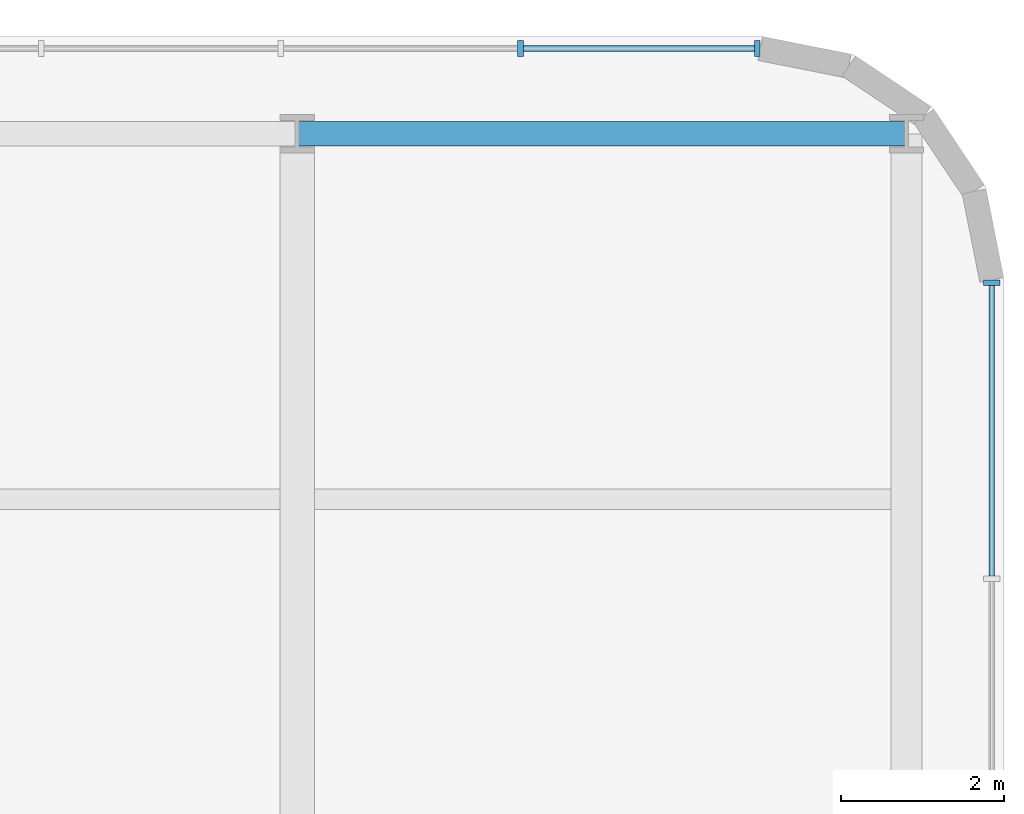
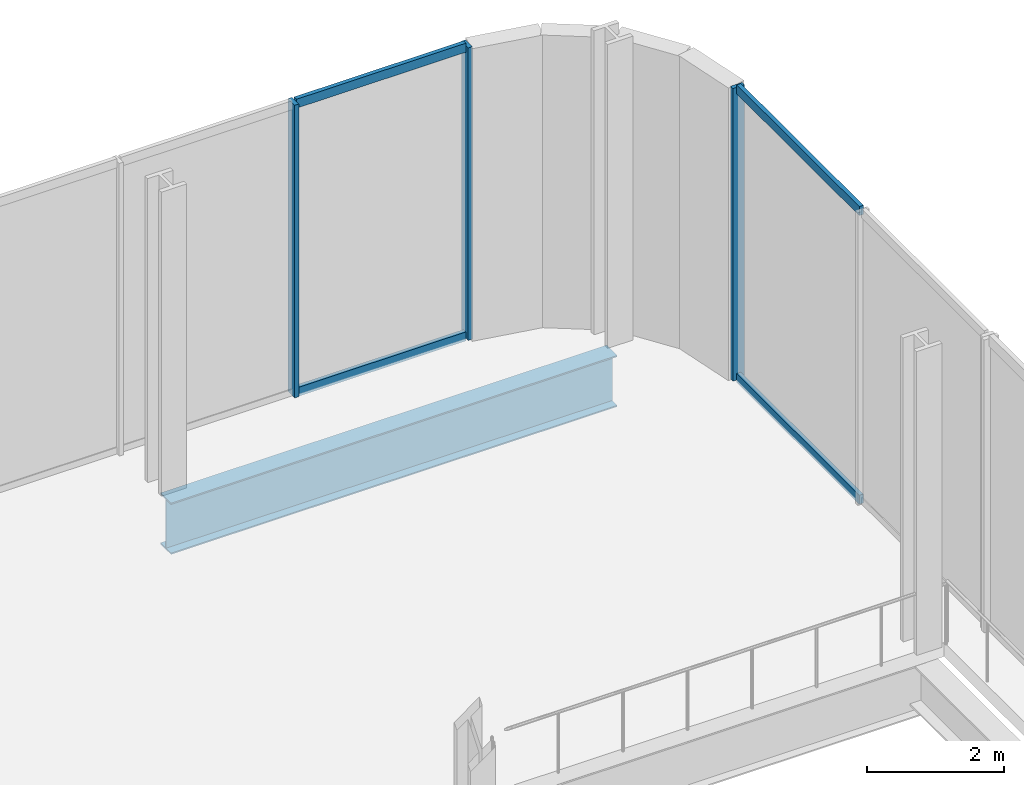
# One storey, part 11 of 17: 7 members, 1 beam, 2 elements without a shape of their own.
"""IFC4 building model written with IfcOpenShell, lengths in metres."""

from ifc_helpers import new_model, si_unit, direction, frame, origin, origin_2d, place, context, subcontext, project, spatial, rectangle, i_section, extrude, material, material_profile, profile_set, type_object, element, aggregate, save


model = new_model("IFC4")

# Units and contexts
model_context = context("Model", 3, precision=1e-05, world=origin(), true_north=direction((0.0, 1.0)))
body_context = subcontext(model_context, "Body", "Model", "MODEL_VIEW")
ifc_project = project(units=[si_unit("LENGTHUNIT", "METRE"), si_unit("AREAUNIT", "SQUARE_METRE"), si_unit("VOLUMEUNIT", "CUBIC_METRE"), si_unit("PLANEANGLEUNIT", "RADIAN"), si_unit("MASSUNIT", "GRAM", prefix="KILO")], contexts=[model_context])

# Site, building, storey
site_placement = place(None, origin())
site = spatial("IfcSite", under=ifc_project, at=site_placement, CompositionType="ELEMENT")
building_placement = place(site_placement, origin())
building = spatial("IfcBuilding", under=site, at=building_placement, Name="Tarangal Relay Tower", CompositionType="ELEMENT")
storey_placement = place(building_placement, frame((0.0, 0.0, 18.0)))
storey = spatial("IfcBuildingStorey", under=building, at=storey_placement, Name="L03", CompositionType="ELEMENT", Elevation=18.0)

# Curtain wall, members
ifc_material_1 = material(Name="Unitised curtain wall, dark glass and black aluminium", Category="aluminium")
curtain_wall_type = type_object("IfcCurtainWallType", Name="Curtain wall CW-P", PredefinedType="USERDEFINED", material=ifc_material_1)
curtain_wall_1_placement = place(storey_placement, origin())
curtain_wall_1 = element("IfcCurtainWall", 1, at=curtain_wall_1_placement, inside=storey, type_object=curtain_wall_type, Name="Curtain wall CW-P Podium N facade L03", ObjectType="UNITISED CURTAIN WALL", PredefinedType="USERDEFINED")
ifc_material_2 = material(Name="Black anodised aluminium mullion", Category="aluminium")
ifc_material_profile_1 = material_profile(ifc_material_2, rectangle(XDim=0.199951171875, YDim=0.070068359375, at=origin_2d()), Name="CW-PM 70X200")
ifc_profile_set_1 = profile_set([ifc_material_profile_1], Name="Black anodised aluminium mullion")
member_type_1 = type_object("IfcMemberType", Name="Mullion CW-P 70 x 200", PredefinedType="MULLION", material=ifc_profile_set_1)
member_1_placement = place(storey_placement, frame((38.6650390625, 26.550048828125, 0.0), z_axis=(0.0, 0.0, 1.0), x_axis=(0.0, -1.0, 0.0)))
member_1 = element("IfcMember", 2, at=member_1_placement, type_object=member_type_1, Name="CW-P mullion 1", PredefinedType="MULLION", context=body_context, shape_type="SweptSolid", body=[
    extrude(rectangle(XDim=0.199951171875, YDim=0.070068359375, at=origin_2d()), origin(), (0.0, 0.0, 1.0), 5.199951171875),
])
member_2_placement = place(storey_placement, frame((35.75, 26.550048828125, 0.0), z_axis=(0.0, 0.0, 1.0), x_axis=(0.0, -1.0, 0.0)))
member_2 = element("IfcMember", 3, at=member_2_placement, type_object=member_type_1, Name="CW-P mullion 2", PredefinedType="MULLION", context=body_context, shape_type="SweptSolid", body=[
    extrude(rectangle(XDim=0.199951171875, YDim=0.070068359375, at=origin_2d()), origin(), (0.0, 0.0, 1.0), 5.199951171875),
])

# Curtain wall, member
curtain_wall_2_placement = place(storey_placement, origin())
curtain_wall_2 = element("IfcCurtainWall", 4, at=curtain_wall_2_placement, inside=storey, type_object=curtain_wall_type, Name="Curtain wall CW-P Podium E facade L03", ObjectType="UNITISED CURTAIN WALL", PredefinedType="USERDEFINED")
member_3_placement = place(storey_placement, frame((41.550048828125, 23.6650390625, 0.0), z_axis=(0.0, 0.0, 1.0), x_axis=(-1.0, 0.0, 0.0)))
member_3 = element("IfcMember", 5, at=member_3_placement, type_object=member_type_1, Name="CW-P mullion 3", PredefinedType="MULLION", context=body_context, shape_type="SweptSolid", body=[
    extrude(rectangle(XDim=0.199951171875, YDim=0.070068359375, at=origin_2d()), origin(), (0.0, 0.0, 1.0), 5.199951171875),
])

# Beam
ifc_material_3 = material(Name="Steel ASTM A992", Category="steel")
ifc_material_profile_2 = material_profile(ifc_material_3, i_section(OverallWidth=0.3046875, OverallDepth=0.911865234375, WebThickness=0.015869140625, FlangeThickness=0.02392578125, at=origin_2d()), Name="W36X150")
ifc_profile_set_2 = profile_set([ifc_material_profile_2], Name="Steel ASTM A992")
beam_type = type_object("IfcBeamType", Name="Podium beam W36X150", PredefinedType="BEAM", material=ifc_profile_set_2)
beam_placement = place(storey_placement, frame((33.0, 25.5, -0.7060546875), z_axis=(1.0, 0.0, 0.0), x_axis=(0.0, 1.0, 0.0)))
element("IfcBeam", 6, at=beam_placement, inside=storey, type_object=beam_type, Name="Podium beam PB1 L03", PredefinedType="BEAM", context=body_context, shape_type="SweptSolid", body=[
    extrude(i_section(OverallWidth=0.3046875, OverallDepth=0.911865234375, WebThickness=0.015869140625, FlangeThickness=0.02392578125, at=origin_2d()), origin(), (0.0, 0.0, 1.0), 7.5),
])

# Member
ifc_material_4 = material(Name="Black anodised aluminium transom", Category="aluminium")
ifc_material_profile_3 = material_profile(ifc_material_4, rectangle(XDim=0.070068359375, YDim=0.159912109375, at=origin_2d()), Name="CW-PT 70X160")
ifc_profile_set_3 = profile_set([ifc_material_profile_3], Name="Black anodised aluminium transom")
member_type_2 = type_object("IfcMemberType", Name="Transom CW-P 70 x 160", PredefinedType="USERDEFINED", material=ifc_profile_set_3)
member_4_placement = place(storey_placement, frame((38.6298828125, 26.550048828125, 0.034912109375), z_axis=(-1.0, 0.0, 0.0), x_axis=(0.0, -1.0, 0.0)))
member_4 = element("IfcMember", 7, at=member_4_placement, type_object=member_type_2, Name="CW-P transom 1.1", ObjectType="TRANSOM", PredefinedType="USERDEFINED", context=body_context, shape_type="SweptSolid", body=[
    extrude(rectangle(XDim=0.070068359375, YDim=0.159912109375, at=origin_2d()), origin(), (0.0, 0.0, 1.0), 2.844970703125),
])

member_5_placement = place(storey_placement, frame((38.6298828125, 26.550048828125, 5.1650390625), z_axis=(-1.0, 0.0, 0.0), x_axis=(0.0, -1.0, 0.0)))
member_5 = element("IfcMember", 8, at=member_5_placement, type_object=member_type_2, Name="CW-P transom 1.2", ObjectType="TRANSOM", PredefinedType="USERDEFINED", context=body_context, shape_type="SweptSolid", body=[
    extrude(rectangle(XDim=0.070068359375, YDim=0.159912109375, at=origin_2d()), origin(), (0.0, 0.0, 1.0), 2.844970703125),
])

aggregate(curtain_wall_1, [member_1, member_2, member_4, member_5])

member_6_placement = place(storey_placement, frame((41.550048828125, 20.06005859375, 0.034912109375), z_axis=(0.0, 1.0, 0.0), x_axis=(-1.0, 0.0, 0.0)))
member_6 = element("IfcMember", 9, at=member_6_placement, type_object=member_type_2, Name="CW-P transom 2.1", ObjectType="TRANSOM", PredefinedType="USERDEFINED", context=body_context, shape_type="SweptSolid", body=[
    extrude(rectangle(XDim=0.070068359375, YDim=0.159912109375, at=origin_2d()), origin(), (0.0, 0.0, 1.0), 3.56982421875),
])

member_7_placement = place(storey_placement, frame((41.550048828125, 20.06005859375, 5.1650390625), z_axis=(0.0, 1.0, 0.0), x_axis=(-1.0, 0.0, 0.0)))
member_7 = element("IfcMember", 10, at=member_7_placement, type_object=member_type_2, Name="CW-P transom 2.2", ObjectType="TRANSOM", PredefinedType="USERDEFINED", context=body_context, shape_type="SweptSolid", body=[
    extrude(rectangle(XDim=0.070068359375, YDim=0.159912109375, at=origin_2d()), origin(), (0.0, 0.0, 1.0), 3.56982421875),
])

aggregate(curtain_wall_2, [member_3, member_6, member_7])

save(model, "model.ifc")
